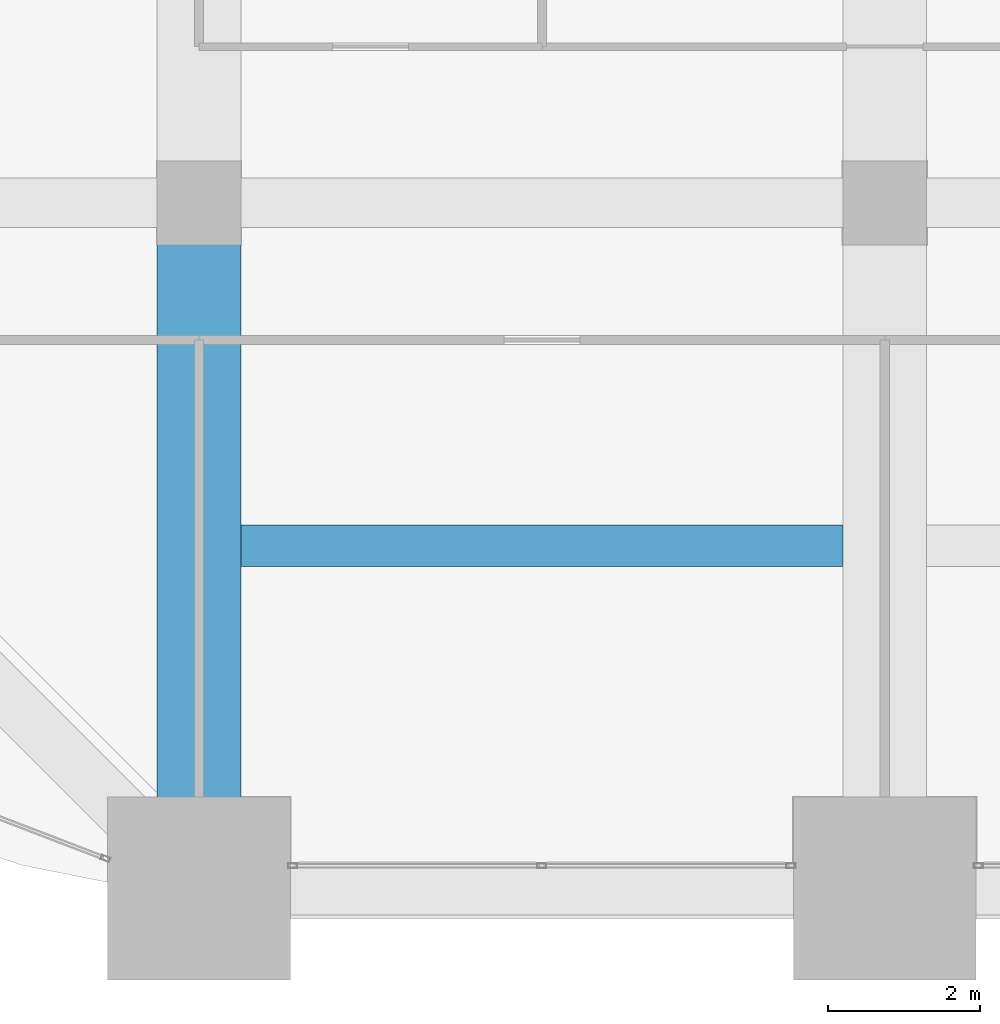
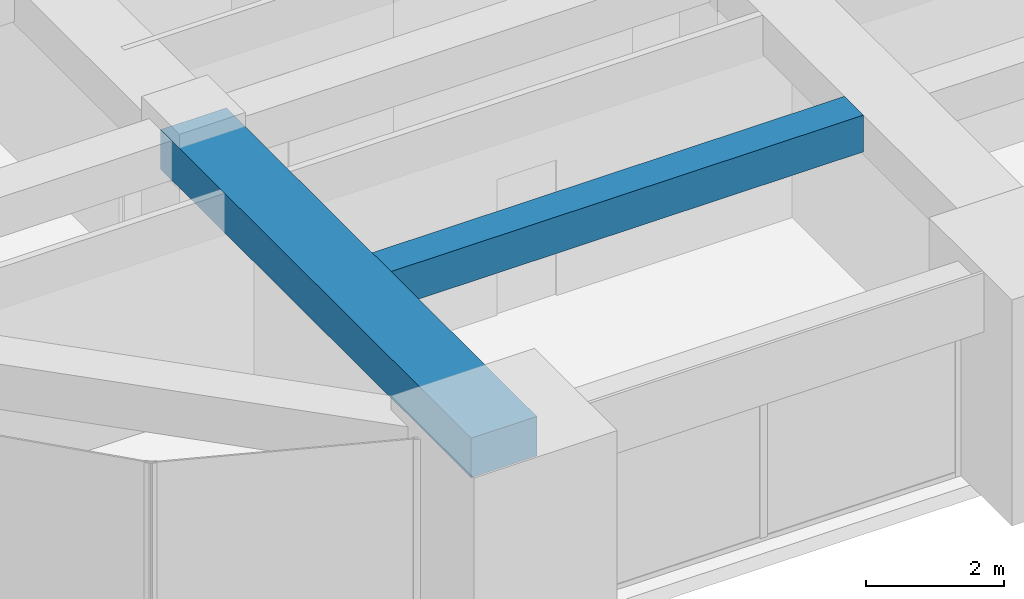
# One storey, part 5 of 45: 2 beams.
"""IFC4 building model written with IfcOpenShell, lengths in metres."""

from ifc_helpers import new_model, si_unit, direction, frame, origin, origin_2d, place, context, subcontext, project, spatial, rectangle, extrude, material, material_profile, profile_set, type_object, element, save


model = new_model("IFC4")

# Units and contexts
model_context = context("Model", 3, precision=1e-05, world=origin(), true_north=direction((0.0, 1.0)))
body_context = subcontext(model_context, "Body", "Model", "MODEL_VIEW")
ifc_project = project(units=[si_unit("LENGTHUNIT", "METRE"), si_unit("AREAUNIT", "SQUARE_METRE"), si_unit("VOLUMEUNIT", "CUBIC_METRE"), si_unit("PLANEANGLEUNIT", "RADIAN"), si_unit("MASSUNIT", "GRAM", prefix="KILO")], contexts=[model_context])

# Site, building, storey
site_placement = place(None, origin())
site = spatial("IfcSite", under=ifc_project, at=site_placement, CompositionType="ELEMENT")
building_placement = place(site_placement, origin())
building = spatial("IfcBuilding", under=site, at=building_placement, Name="Zorevar Civic Tower", CompositionType="ELEMENT")
storey_placement = place(building_placement, frame((0.0, 0.0, 247.39990234375)))
storey = spatial("IfcBuildingStorey", under=building, at=storey_placement, Name="L60", CompositionType="ELEMENT", Elevation=247.39990234375)

# Beams
ifc_material_1 = material(Name="Concrete C50/60", Category="concrete")
ifc_material_profile_1 = material_profile(ifc_material_1, rectangle(XDim=1.10009765625, YDim=0.699951171875, at=origin_2d()), Name="RC 1100x700")
ifc_profile_set_1 = profile_set([ifc_material_profile_1], Name="Concrete C50/60")
beam_type_1 = type_object("IfcBeamType", Name="Beam RC 1100x700", PredefinedType="BEAM", material=ifc_profile_set_1)
beam_1_placement = place(storey_placement, frame((18.0, 0.0, 3.400146484375), z_axis=(0.0, 1.0, 0.0), x_axis=(-1.0, 0.0, 0.0)))
element("IfcBeam", 1, at=beam_1_placement, inside=storey, type_object=beam_type_1, Name="Girder L61", PredefinedType="BEAM", context=body_context, shape_type="SweptSolid", body=[
    extrude(rectangle(XDim=1.10009765625, YDim=0.699951171875, at=origin_2d()), origin(), (0.0, 0.0, 1.0), 9.0),
])
ifc_material_2 = material(Name="Concrete C50/60", Category="concrete")
ifc_material_profile_2 = material_profile(ifc_material_2, rectangle(XDim=0.550048828125, YDim=0.64990234375, at=origin_2d()), Name="RC 550x650")
ifc_profile_set_2 = profile_set([ifc_material_profile_2], Name="Concrete C50/60")
beam_type_2 = type_object("IfcBeamType", Name="Beam RC 550x650", PredefinedType="BEAM", material=ifc_profile_set_2)
beam_2_placement = place(storey_placement, frame((18.550048828125, 4.5, 3.425048828125), z_axis=(1.0, 0.0, 0.0), x_axis=(0.0, 1.0, 0.0)))
element("IfcBeam", 2, at=beam_2_placement, inside=storey, type_object=beam_type_2, Name="Secondary beam L61", PredefinedType="BEAM", context=body_context, shape_type="SweptSolid", body=[
    extrude(rectangle(XDim=0.550048828125, YDim=0.64990234375, at=origin_2d()), origin(), (0.0, 0.0, 1.0), 7.89990234375),
])

save(model, "model.ifc")
